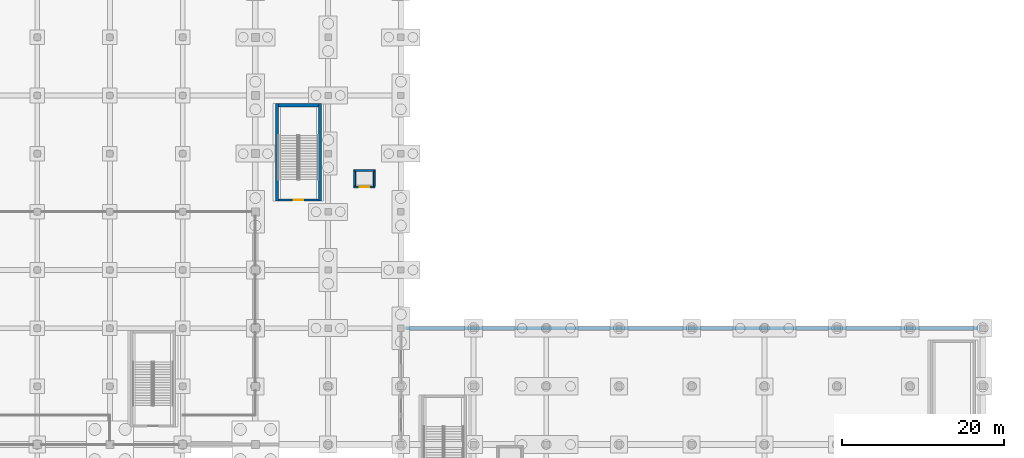
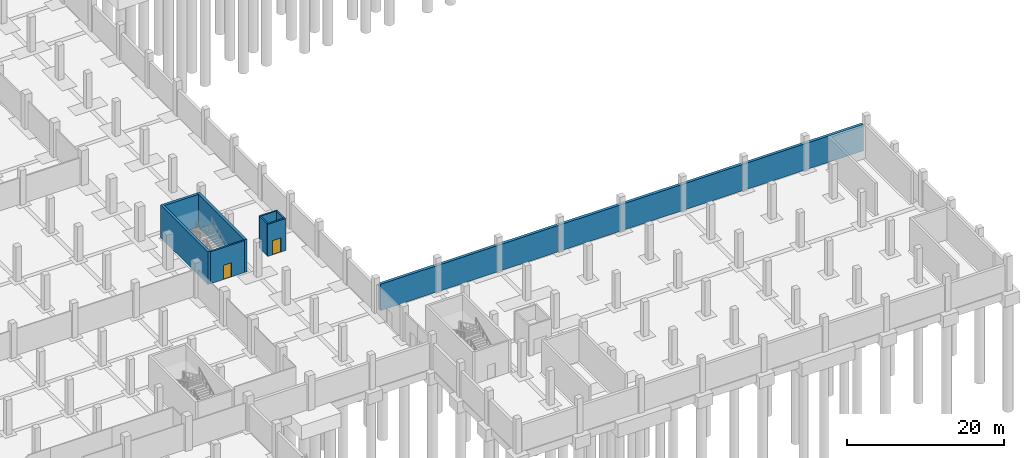
# One storey, part 23 of 39: 9 walls, 2 doors, 2 openings.
"""IFC4 building model written with IfcOpenShell, lengths in metres."""

from ifc_helpers import new_model, si_unit, direction, frame, frame_2d, origin, place, context, subcontext, project, spatial, rectangle, extrude, material, layer, layer_set, type_object, element, fill, save


model = new_model("IFC4")

# Units and contexts
model_context = context("Model", 3, precision=1e-05, world=origin(), true_north=direction((0.0, 1.0)))
body_context = subcontext(model_context, "Body", "Model", "MODEL_VIEW")
ifc_project = project(units=[si_unit("LENGTHUNIT", "METRE"), si_unit("AREAUNIT", "SQUARE_METRE"), si_unit("VOLUMEUNIT", "CUBIC_METRE"), si_unit("PLANEANGLEUNIT", "RADIAN"), si_unit("MASSUNIT", "GRAM", prefix="KILO")], contexts=[model_context])

# Site, building, storey
site_placement = place(None, origin())
site = spatial("IfcSite", under=ifc_project, at=site_placement, CompositionType="ELEMENT")
building_placement = place(site_placement, origin())
building = spatial("IfcBuilding", under=site, at=building_placement, Name="Celestram Park Convention Centre", CompositionType="ELEMENT")
storey_placement = place(building_placement, frame((0.0, 0.0, -5.39990234375)))
storey = spatial("IfcBuildingStorey", under=building, at=storey_placement, Name="B1", CompositionType="ELEMENT", Elevation=-5.39990234375)

# Wall, opening, door
ifc_material_1 = material(Name="Concrete Block Masonry C25/30", Category="masonry")
ifc_layer_1 = layer(ifc_material_1, 0.25)
ifc_layer_set_1 = layer_set([ifc_layer_1], Name="Concrete Block Masonry C25/30")
wall_type_1 = type_object("IfcWallType", Name="ARC-WL-COR250", PredefinedType="STANDARD", material=ifc_layer_set_1)
wall_1_placement = place(storey_placement, frame((128.840087890625, 51.875, 0.0), z_axis=(0.0, 0.0, 1.0), x_axis=(1.0, 0.0, 0.0)))
wall_1 = element("IfcWall", 1, at=wall_1_placement, inside=storey, type_object=wall_type_1, Name="Core C4 stair entrance wall", PredefinedType="STANDARD", context=body_context, shape_type="SweptSolid", body=[
    extrude(rectangle(XDim=4.9599609375, YDim=0.25, at=frame_2d((2.47998046875, 0.0))), origin(), (0.0, 0.0, 1.0), 4.949951171875),
])
opening_1_placement = place(wall_1_placement, frame((1.905029296875, 0.0, 0.0)))
opening_1 = element("IfcOpeningElement", 2, at=opening_1_placement, cuts=wall_1, Name="Opening D-ST1", PredefinedType="OPENING", context=body_context, shape_type="SweptSolid", body=[
    extrude(rectangle(XDim=1.14990234375, YDim=2.199951171875, at=frame_2d((0.574951171875, 1.10009765625))), frame((0.0, 0.135009765625, 0.0), z_axis=(0.0, -1.0, 0.0), x_axis=(1.0, 0.0, 0.0)), (0.0, 0.0, 1.0), 0.27001953125),
])
ifc_material_2 = material(Name="Fire-Rated Hollow Metal Steel ASTM A653", Category="steel")
door_type_1 = type_object("IfcDoorType", Name="ARC-DR-ST115", OperationType="NOTDEFINED", PredefinedType="DOOR", material=ifc_material_2)
door_1_placement = place(opening_1_placement, origin())
door_1 = element("IfcDoor", 3, at=door_1_placement, inside=storey, type_object=door_type_1, Name="Exit stair ST-04 fire door", OperationType="SINGLE_SWING_LEFT", OverallHeight=2.199951171875, OverallWidth=1.14990234375, PredefinedType="DOOR", context=body_context, shape_type="SweptSolid", body=[
    extrude(rectangle(XDim=1.14990234375, YDim=2.199951171875, at=frame_2d((0.574951171875, 1.10009765625))), frame((0.0, 0.02490234375, 0.0), z_axis=(0.0, -1.0, 0.0), x_axis=(1.0, 0.0, 0.0)), (0.0, 0.0, 1.0), 0.050048828125),
])
fill(opening_1, door_1)

ifc_layer_2 = layer(ifc_material_1, 0.219970703125)
ifc_layer_set_2 = layer_set([ifc_layer_2], Name="Concrete Block Masonry C25/30")
wall_type_2 = type_object("IfcWallType", Name="ARC-WL-SHF220", PredefinedType="STANDARD", material=ifc_layer_set_2)
wall_2_placement = place(storey_placement, frame((138.169921875, 53.47998046875, 0.0), z_axis=(0.0, 0.0, 1.0), x_axis=(1.0, 0.0, 0.0)))
wall_2 = element("IfcWall", 4, at=wall_2_placement, inside=storey, type_object=wall_type_2, Name="Lift LP-05 shaft wall S", PredefinedType="STANDARD", context=body_context, shape_type="SweptSolid", body=[
    extrude(rectangle(XDim=2.66015625, YDim=0.219970703125, at=frame_2d((1.330078125, 0.0))), origin(), (0.0, 0.0, 1.0), 4.949951171875),
])
opening_2_placement = place(wall_2_placement, frame((0.72998046875, 0.0, 0.0)))
opening_2 = element("IfcOpeningElement", 5, at=opening_2_placement, cuts=wall_2, Name="Opening LD-01", PredefinedType="OPENING", context=body_context, shape_type="SweptSolid", body=[
    extrude(rectangle(XDim=1.199951171875, YDim=2.199951171875, at=frame_2d((0.60009765625, 1.10009765625))), frame((0.0, 0.119873046875, 0.0), z_axis=(0.0, -1.0, 0.0), x_axis=(1.0, 0.0, 0.0)), (0.0, 0.0, 1.0), 0.239990234375),
])
ifc_material_3 = material(Name="Brushed Stainless Steel AISI 304", Category="steel")
door_type_2 = type_object("IfcDoorType", Name="ARC-DR-LFT120", OperationType="NOTDEFINED", PredefinedType="DOOR", material=ifc_material_3)
door_2_placement = place(opening_2_placement, origin())
door_2 = element("IfcDoor", 6, at=door_2_placement, inside=storey, type_object=door_type_2, Name="Lift LP-05 sliding landing door", OperationType="DOUBLE_DOOR_SLIDING", OverallHeight=2.199951171875, OverallWidth=1.199951171875, PredefinedType="DOOR", context=body_context, shape_type="SweptSolid", body=[
    extrude(rectangle(XDim=1.199951171875, YDim=2.199951171875, at=frame_2d((0.60009765625, 1.10009765625))), frame((0.0, 0.02490234375, 0.0), z_axis=(0.0, -1.0, 0.0), x_axis=(1.0, 0.0, 0.0)), (0.0, 0.0, 1.0), 0.050048828125),
])
fill(opening_2, door_2)

# Walls
wall_3_placement = place(storey_placement, frame((140.830078125, 55.52001953125, 0.0), z_axis=(0.0, 0.0, 1.0), x_axis=(-1.0, 0.0, 0.0)))
element("IfcWall", 7, at=wall_3_placement, inside=storey, type_object=wall_type_2, Name="Lift LP-05 shaft wall N", PredefinedType="STANDARD", context=body_context, shape_type="SweptSolid", body=[
    extrude(rectangle(XDim=2.66015625, YDim=0.219970703125, at=frame_2d((1.330078125, 0.0))), origin(), (0.0, 0.0, 1.0), 4.949951171875),
])
for number, where, z_axis, x_axis, name in (
    (8, (138.280029296875, 55.409912109375, 0.0), (0.0, 0.0, 1.0), (0.0, -1.0, 0.0), "Lift LP-05 shaft wall W"),
    (9, (140.719970703125, 53.590087890625, 0.0), (0.0, 0.0, 1.0), (0.0, 1.0, 0.0), "Lift LP-05 shaft wall E"),
):
    element("IfcWall", number, at=place(storey_placement, frame(where, z_axis=z_axis, x_axis=x_axis)), inside=storey, type_object=wall_type_2, Name=name, PredefinedType="STANDARD", context=body_context, shape_type="SweptSolid", body=[
        extrude(rectangle(XDim=1.81982421875, YDim=0.219970703125, at=frame_2d((0.909912109375, 0.0))), origin(), (0.0, 0.0, 1.0), 4.949951171875),
    ])
ifc_material_4 = material(Name="Concrete C40/50", Category="concrete")
ifc_layer_3 = layer(ifc_material_4, 0.419921875)
ifc_layer_set_3 = layer_set([ifc_layer_3], Name="Concrete C40/50")
wall_type_3 = type_object("IfcWallType", Name="STR-WL-RET420", PredefinedType="USERDEFINED", material=ifc_layer_set_3)
wall_4_placement = place(storey_placement, frame((144.550048828125, 36.0, 0.0), z_axis=(0.0, 0.0, 1.0), x_axis=(1.0, 0.0, 0.0)))
element("IfcWall", 10, at=wall_4_placement, inside=storey, type_object=wall_type_3, Name="Basement retaining wall WL-B1-RET13", ObjectType="RETAININGWALL", PredefinedType="USERDEFINED", context=body_context, shape_type="SweptSolid", body=[
    extrude(rectangle(XDim=70.89990234375, YDim=0.419921875, at=frame_2d((35.449951171875, 0.0))), origin(), (0.0, 0.0, 1.0), 4.079833984375),
])
ifc_layer_4 = layer(ifc_material_4, 0.3798828125)
ifc_layer_set_4 = layer_set([ifc_layer_4], Name="Concrete C40/50")
wall_type_4 = type_object("IfcWallType", Name="STR-WL-SHR380", PredefinedType="SHEAR", material=ifc_layer_set_4)
for number, where, z_axis, x_axis, name in (
    (11, (128.64990234375, 51.75, 0.0), (0.0, 0.0, 1.0), (0.0, 1.0, 0.0), "Core C4 shear wall L"),
    (12, (133.989990234375, 63.780029296875, 0.0), (0.0, 0.0, 1.0), (0.0, -1.0, 0.0), "Core C4 shear wall R"),
):
    element("IfcWall", number, at=place(storey_placement, frame(where, z_axis=z_axis, x_axis=x_axis)), inside=storey, type_object=wall_type_4, Name=name, PredefinedType="SHEAR", context=body_context, shape_type="SweptSolid", body=[
        extrude(rectangle(XDim=12.030029296875, YDim=0.3798828125, at=frame_2d((6.01513671875, 0.0))), origin(), (0.0, 0.0, 1.0), 5.079833984375),
    ])
wall_5_placement = place(storey_placement, frame((128.840087890625, 63.590087890625, 0.0), z_axis=(0.0, 0.0, 1.0), x_axis=(1.0, 0.0, 0.0)))
element("IfcWall", 13, at=wall_5_placement, inside=storey, type_object=wall_type_4, Name="Core C4 shear wall F", PredefinedType="SHEAR", context=body_context, shape_type="SweptSolid", body=[
    extrude(rectangle(XDim=4.9599609375, YDim=0.3798828125, at=frame_2d((2.47998046875, 0.0))), origin(), (0.0, 0.0, 1.0), 5.079833984375),
])

save(model, "model.ifc")
